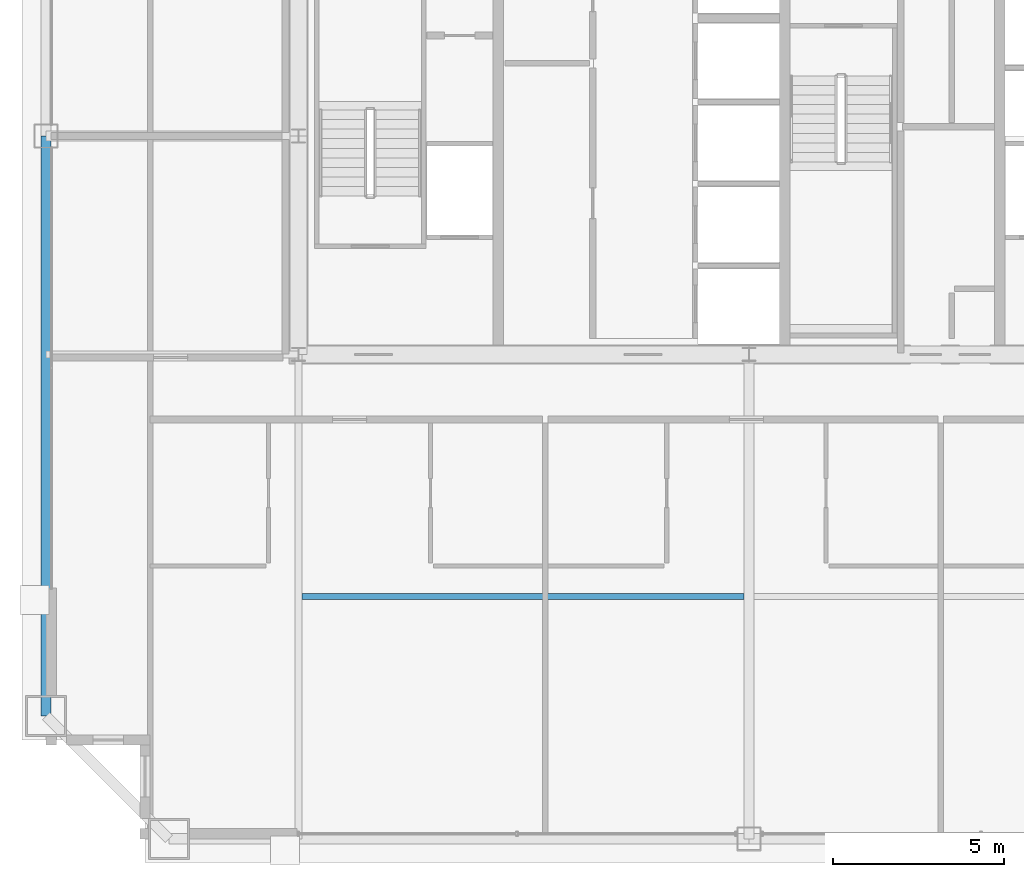
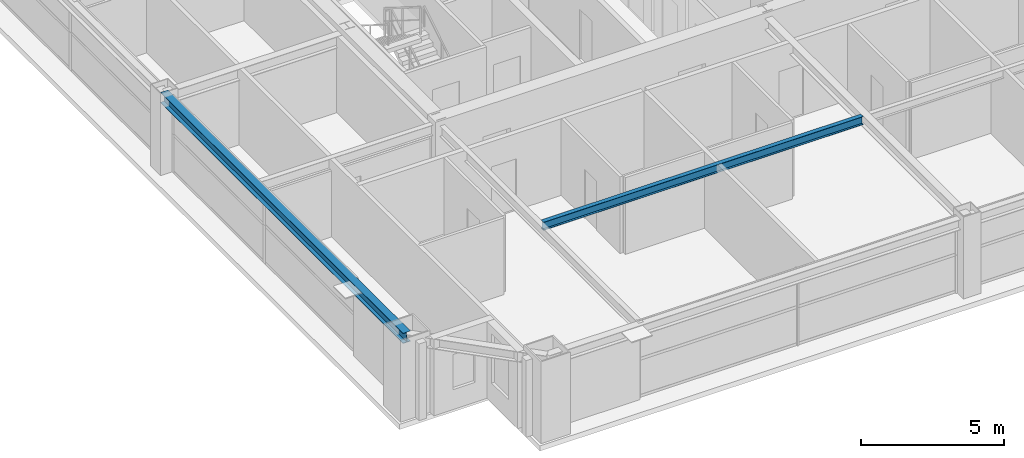
# One storey, part 6 of 36: 2 beams.
"""IFC4 building model written with IfcOpenShell, lengths in metres."""

from ifc_helpers import new_model, si_unit, direction, frame, origin, origin_2d, place, context, subcontext, project, spatial, i_section, extrude, source, transform, mapped, material, material_profile, profile_set, type_object, element, save


model = new_model("IFC4")

# Units and contexts
model_context = context("Model", 3, precision=1e-05, world=origin(), true_north=direction((0.0, 1.0)))
body_context = subcontext(model_context, "Body", "Model", "MODEL_VIEW")
ifc_project = project(units=[si_unit("LENGTHUNIT", "METRE"), si_unit("AREAUNIT", "SQUARE_METRE"), si_unit("VOLUMEUNIT", "CUBIC_METRE"), si_unit("PLANEANGLEUNIT", "RADIAN"), si_unit("MASSUNIT", "GRAM", prefix="KILO"), si_unit("THERMODYNAMICTEMPERATUREUNIT", "KELVIN"), si_unit("POWERUNIT", "WATT")], contexts=[model_context])

# Site, building, storey
site_placement = place(None, origin())
site = spatial("IfcSite", under=ifc_project, at=site_placement, CompositionType="ELEMENT")
building_placement = place(site_placement, origin())
building = spatial("IfcBuilding", under=site, at=building_placement, Name="Yuzanri Waterfront Tower", CompositionType="ELEMENT")
storey_placement = place(building_placement, frame((0.0, 0.0, 238.10009765625)))
storey = spatial("IfcBuildingStorey", under=building, at=storey_placement, Name="L63", CompositionType="ELEMENT", Elevation=238.10009765625)

# Beams
ifc_material_1 = material(Name="Steel Q355B", Category="steel")
ifc_material_profile_1 = material_profile(ifc_material_1, i_section(OverallWidth=0.300048828125, OverallDepth=0.43994140625, WebThickness=0.010986328125, FlangeThickness=0.01806640625, at=origin_2d()), Name="HM 440x300x11x18")
ifc_profile_set_1 = profile_set([ifc_material_profile_1], Name="Steel Q355B")
beam_type_1 = type_object("IfcBeamType", Name="Perimeter Spandrel Q355B HM 440x300", PredefinedType="SPANDREL", material=ifc_profile_set_1)
shared_shape_1 = source(origin(), body_context, "Body", "SweptSolid", [
    extrude(i_section(OverallWidth=0.300048828125, OverallDepth=0.43994140625, WebThickness=0.010986328125, FlangeThickness=0.01806640625, at=origin_2d()), origin(), (0.0, 0.0, 1.0), 17.0),
])
beam_1_placement = place(storey_placement, frame((16.39990234375, 25.800048828125, 3.059814453125), z_axis=(0.0, -1.0, 0.0), x_axis=(1.0, 0.0, 0.0)))
element("IfcBeam", 1, at=beam_1_placement, inside=storey, type_object=beam_type_1, Name="L63 Perimeter Spandrel W2-W1", PredefinedType="SPANDREL", context=body_context, shape_type="MappedRepresentation", body=[
    mapped(shared_shape_1, transform((0.0, 0.0, 0.0), scale=1.0)),
])
ifc_material_2 = material(Name="Steel Q355B", Category="steel")
ifc_material_profile_2 = material_profile(ifc_material_2, i_section(OverallWidth=0.175048828125, OverallDepth=0.35009765625, WebThickness=0.007080078125, FlangeThickness=0.010986328125, at=origin_2d()), Name="HN 350x175x7x11")
ifc_profile_set_2 = profile_set([ifc_material_profile_2], Name="Steel Q355B")
beam_type_2 = type_object("IfcBeamType", Name="Floor Joist Q355B HN 350x175", PredefinedType="JOIST", material=ifc_profile_set_2)
shared_shape_2 = source(origin(), body_context, "Body", "SweptSolid", [
    extrude(i_section(OverallWidth=0.175048828125, OverallDepth=0.35009765625, WebThickness=0.007080078125, FlangeThickness=0.010986328125, at=origin_2d()), origin(), (0.0, 0.0, 1.0), 12.9501953125),
])
beam_2_placement = place(storey_placement, frame((23.89990234375, 12.300048828125, 3.10498046875), z_axis=(1.0, 0.0, 0.0), x_axis=(0.0, 1.0, 0.0)))
element("IfcBeam", 2, at=beam_2_placement, inside=storey, type_object=beam_type_2, Name="L63 South Bay Joist W", PredefinedType="JOIST", context=body_context, shape_type="MappedRepresentation", body=[
    mapped(shared_shape_2, transform((0.0, 0.0, 0.0), scale=1.0)),
])

save(model, "model.ifc")
